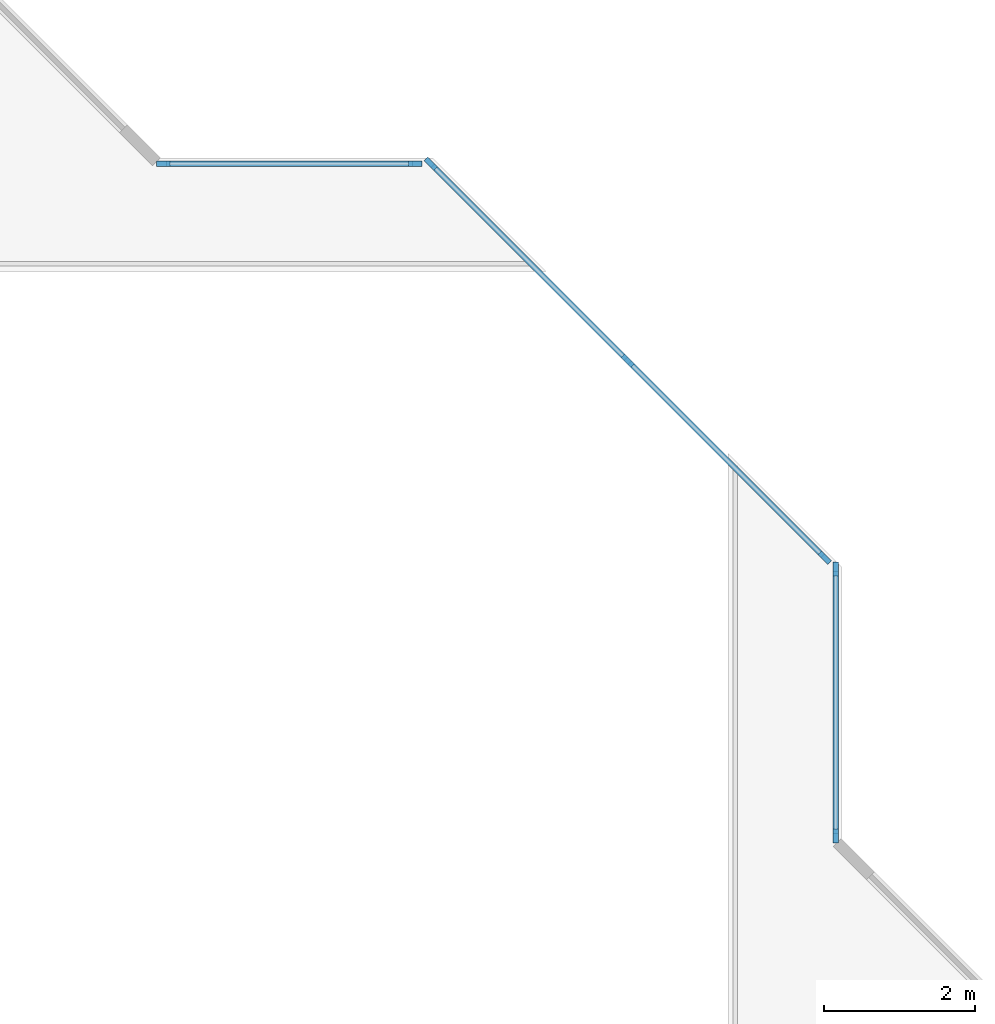
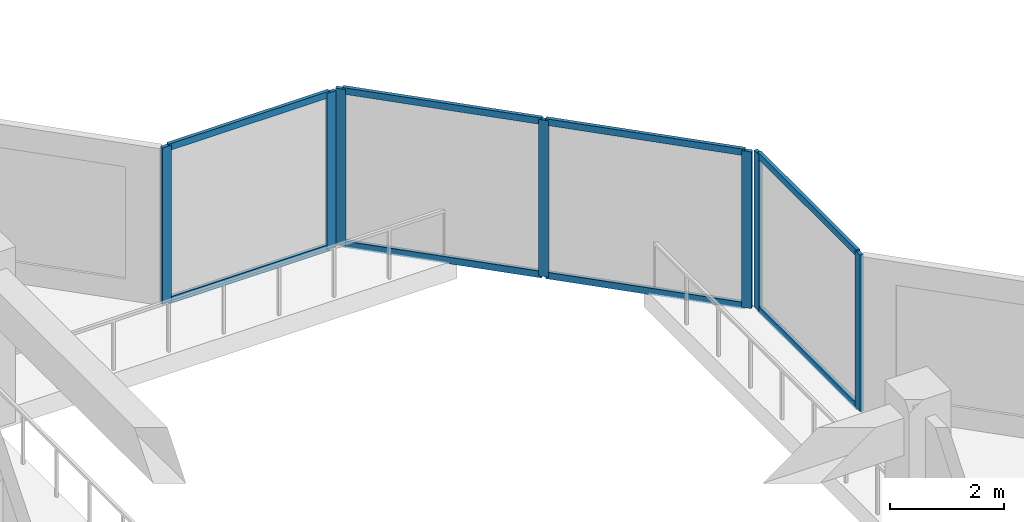
# One storey, part 2 of 15: 15 members, 3 elements without a shape of their own.
"""IFC4 building model written with IfcOpenShell, lengths in metres."""

from ifc_helpers import new_model, si_unit, direction, frame, origin, origin_2d, place, context, subcontext, project, spatial, rectangle, extrude, material, layer, layer_set, material_profile, profile_set, type_object, element, aggregate, save


model = new_model("IFC4")

# Units and contexts
model_context = context("Model", 3, precision=1e-05, world=origin(), true_north=direction((0.0, 1.0)))
body_context = subcontext(model_context, "Body", "Model", "MODEL_VIEW")
ifc_project = project(units=[si_unit("LENGTHUNIT", "METRE"), si_unit("AREAUNIT", "SQUARE_METRE"), si_unit("VOLUMEUNIT", "CUBIC_METRE"), si_unit("PLANEANGLEUNIT", "RADIAN"), si_unit("MASSUNIT", "GRAM", prefix="KILO")], contexts=[model_context])

# Site, building, storey
site_placement = place(None, origin())
site = spatial("IfcSite", under=ifc_project, at=site_placement, CompositionType="ELEMENT")
building_placement = place(site_placement, origin())
building = spatial("IfcBuilding", under=site, at=building_placement, Name="Chenar Terraces", CompositionType="ELEMENT")
storey_placement = place(building_placement, frame((0.0, 0.0, 249.14990234375)))
storey = spatial("IfcBuildingStorey", under=building, at=storey_placement, Name="L59", CompositionType="ELEMENT", Elevation=249.14990234375)

# Curtain wall, members
ifc_material_1 = material(Name="Aluminium framed glazing", Category="aluminium")
ifc_layer = layer(ifc_material_1, 0.14990234375)
ifc_layer_set = layer_set([ifc_layer], Name="Aluminium framed glazing")
curtain_wall_type = type_object("IfcCurtainWallType", Name="Atrium mid-zone curtain wall", PredefinedType="NOTDEFINED", material=ifc_layer_set)
placement = place(storey_placement, origin())
curtain_wall_1 = element("IfcCurtainWall", 1, at=placement, inside=storey, type_object=curtain_wall_type, Name="Atrium mid-zone curtain wall", PredefinedType="NOTDEFINED")
ifc_material_2 = material(Name="Aluminium", Category="aluminium")
ifc_material_profile_1 = material_profile(ifc_material_2, rectangle(XDim=0.070068359375, YDim=0.179931640625, at=origin_2d()), Name="Atrium mid-zone glazing mullion 70 x 180")
ifc_profile_set_1 = profile_set([ifc_material_profile_1], Name="Aluminium")
member_type_1 = type_object("IfcMemberType", Name="Atrium mid-zone glazing mullion 70 x 180", PredefinedType="MULLION", material=ifc_profile_set_1)
member_1_placement = place(storey_placement, frame((37.425048828125, 28.534912109375, 0.0), z_axis=(0.0, 0.0, 1.0), x_axis=(-1.0, 0.0, 0.0)))
member_1 = element("IfcMember", 2, at=member_1_placement, type_object=member_type_1, Name="CW7-1 mullion 1", PredefinedType="MULLION", context=body_context, shape_type="SweptSolid", body=[
    extrude(rectangle(XDim=0.070068359375, YDim=0.179931640625, at=origin_2d()), origin(), (0.0, 0.0, 1.0), 3.35009765625),
])
member_2_placement = place(storey_placement, frame((37.425048828125, 32.06494140625, 0.0), z_axis=(0.0, 0.0, 1.0), x_axis=(-1.0, 0.0, 0.0)))
member_2 = element("IfcMember", 3, at=member_2_placement, type_object=member_type_1, Name="CW7-1 mullion 2", PredefinedType="MULLION", context=body_context, shape_type="SweptSolid", body=[
    extrude(rectangle(XDim=0.070068359375, YDim=0.179931640625, at=origin_2d()), origin(), (0.0, 0.0, 1.0), 3.35009765625),
])

curtain_wall_2 = element("IfcCurtainWall", 4, at=placement, inside=storey, type_object=curtain_wall_type, Name="Atrium mid-zone curtain wall", PredefinedType="NOTDEFINED")
member_3_placement = place(storey_placement, frame((37.28076171875, 32.213134765625, 0.0), z_axis=(0.0, 0.0, 1.0), x_axis=(-0.707106781187, -0.707106781187, 0.0)))
member_3 = element("IfcMember", 5, at=member_3_placement, type_object=member_type_1, Name="CW7-2 mullion 1", PredefinedType="MULLION", context=body_context, shape_type="SweptSolid", body=[
    extrude(rectangle(XDim=0.070068359375, YDim=0.179931640625, at=origin_2d()), origin(), (0.0, 0.0, 1.0), 3.35009765625),
])
member_4_placement = place(storey_placement, frame((34.67626953125, 34.817626953125, 0.0), z_axis=(0.0, 0.0, 1.0), x_axis=(-0.707106781187, -0.707106781187, 0.0)))
member_4 = element("IfcMember", 6, at=member_4_placement, type_object=member_type_1, Name="CW7-2 mullion 2", PredefinedType="MULLION", context=body_context, shape_type="SweptSolid", body=[
    extrude(rectangle(XDim=0.070068359375, YDim=0.179931640625, at=origin_2d()), origin(), (0.0, 0.0, 1.0), 3.35009765625),
])
member_5_placement = place(storey_placement, frame((32.07177734375, 37.42236328125, 0.0), z_axis=(0.0, 0.0, 1.0), x_axis=(-0.707106781187, -0.707106781187, 0.0)))
member_5 = element("IfcMember", 7, at=member_5_placement, type_object=member_type_1, Name="CW7-2 mullion 3", PredefinedType="MULLION", context=body_context, shape_type="SweptSolid", body=[
    extrude(rectangle(XDim=0.070068359375, YDim=0.179931640625, at=origin_2d()), origin(), (0.0, 0.0, 1.0), 3.35009765625),
])

curtain_wall_3 = element("IfcCurtainWall", 8, at=placement, inside=storey, type_object=curtain_wall_type, Name="Atrium mid-zone curtain wall", PredefinedType="NOTDEFINED")
member_6_placement = place(storey_placement, frame((31.864990234375, 37.425048828125, 0.0), z_axis=(0.0, 0.0, 1.0), x_axis=(0.0, -1.0, 0.0)))
member_6 = element("IfcMember", 9, at=member_6_placement, type_object=member_type_1, Name="CW7-3 mullion 1", PredefinedType="MULLION", context=body_context, shape_type="SweptSolid", body=[
    extrude(rectangle(XDim=0.070068359375, YDim=0.179931640625, at=origin_2d()), origin(), (0.0, 0.0, 1.0), 3.35009765625),
])
member_7_placement = place(storey_placement, frame((28.534912109375, 37.425048828125, 0.0), z_axis=(0.0, 0.0, 1.0), x_axis=(0.0, -1.0, 0.0)))
member_7 = element("IfcMember", 10, at=member_7_placement, type_object=member_type_1, Name="CW7-3 mullion 2", PredefinedType="MULLION", context=body_context, shape_type="SweptSolid", body=[
    extrude(rectangle(XDim=0.070068359375, YDim=0.179931640625, at=origin_2d()), origin(), (0.0, 0.0, 1.0), 3.35009765625),
])

# Member
ifc_material_3 = material(Name="Aluminium", Category="aluminium")
ifc_material_profile_2 = material_profile(ifc_material_3, rectangle(XDim=0.070068359375, YDim=0.139892578125, at=origin_2d()), Name="Atrium mid-zone glazing transom 70 x 140")
ifc_profile_set_2 = profile_set([ifc_material_profile_2], Name="Aluminium")
member_type_2 = type_object("IfcMemberType", Name="Atrium mid-zone glazing transom 70 x 140", PredefinedType="USERDEFINED", material=ifc_profile_set_2)
member_8_placement = place(storey_placement, frame((37.425048828125, 28.570068359375, 0.03515625), z_axis=(0.0, 1.0, 0.0), x_axis=(-1.0, 0.0, 0.0)))
member_8 = element("IfcMember", 11, at=member_8_placement, type_object=member_type_2, Name="CW7-1 transom 1.1", ObjectType="TRANSOM", PredefinedType="USERDEFINED", context=body_context, shape_type="SweptSolid", body=[
    extrude(rectangle(XDim=0.070068359375, YDim=0.139892578125, at=origin_2d()), origin(), (0.0, 0.0, 1.0), 3.4599609375),
])

member_9_placement = place(storey_placement, frame((37.425048828125, 28.570068359375, 3.315185546875), z_axis=(0.0, 1.0, 0.0), x_axis=(-1.0, 0.0, 0.0)))
member_9 = element("IfcMember", 12, at=member_9_placement, type_object=member_type_2, Name="CW7-1 transom 1.2", ObjectType="TRANSOM", PredefinedType="USERDEFINED", context=body_context, shape_type="SweptSolid", body=[
    extrude(rectangle(XDim=0.070068359375, YDim=0.139892578125, at=origin_2d()), origin(), (0.0, 0.0, 1.0), 3.4599609375),
])

aggregate(curtain_wall_1, [member_1, member_2, member_8, member_9])

member_10_placement = place(storey_placement, frame((37.256103515625, 32.23779296875, 0.03515625), z_axis=(-0.707106781187, 0.707106781187, 0.0), x_axis=(-0.707106781187, -0.707106781187, 0.0)))
member_10 = element("IfcMember", 13, at=member_10_placement, type_object=member_type_2, Name="CW7-2 transom 1.1", ObjectType="TRANSOM", PredefinedType="USERDEFINED", context=body_context, shape_type="SweptSolid", body=[
    extrude(rectangle(XDim=0.070068359375, YDim=0.139892578125, at=origin_2d()), origin(), (0.0, 0.0, 1.0), 3.613525390625),
])

member_11_placement = place(storey_placement, frame((37.256103515625, 32.23779296875, 3.315185546875), z_axis=(-0.707106781187, 0.707106781187, 0.0), x_axis=(-0.707106781187, -0.707106781187, 0.0)))
member_11 = element("IfcMember", 14, at=member_11_placement, type_object=member_type_2, Name="CW7-2 transom 1.2", ObjectType="TRANSOM", PredefinedType="USERDEFINED", context=body_context, shape_type="SweptSolid", body=[
    extrude(rectangle(XDim=0.070068359375, YDim=0.139892578125, at=origin_2d()), origin(), (0.0, 0.0, 1.0), 3.613525390625),
])

member_12_placement = place(storey_placement, frame((34.651611328125, 34.842529296875, 0.03515625), z_axis=(-0.707140563131, 0.707072997628, 0.0), x_axis=(-0.707072997628, -0.707140563131, 0.0)))
member_12 = element("IfcMember", 15, at=member_12_placement, type_object=member_type_2, Name="CW7-2 transom 2.1", ObjectType="TRANSOM", PredefinedType="USERDEFINED", context=body_context, shape_type="SweptSolid", body=[
    extrude(rectangle(XDim=0.070068359375, YDim=0.139892578125, at=origin_2d()), origin(), (0.0, 0.0, 1.0), 3.61328125),
])

member_13_placement = place(storey_placement, frame((34.651611328125, 34.842529296875, 3.315185546875), z_axis=(-0.707140563131, 0.707072997628, 0.0), x_axis=(-0.707072997628, -0.707140563131, 0.0)))
member_13 = element("IfcMember", 16, at=member_13_placement, type_object=member_type_2, Name="CW7-2 transom 2.2", ObjectType="TRANSOM", PredefinedType="USERDEFINED", context=body_context, shape_type="SweptSolid", body=[
    extrude(rectangle(XDim=0.070068359375, YDim=0.139892578125, at=origin_2d()), origin(), (0.0, 0.0, 1.0), 3.61328125),
])

aggregate(curtain_wall_2, [member_3, member_4, member_5, member_10, member_11, member_12, member_13])

member_14_placement = place(storey_placement, frame((31.830078125, 37.425048828125, 0.03515625), z_axis=(-1.0, 0.0, 0.0), x_axis=(0.0, -1.0, 0.0)))
member_14 = element("IfcMember", 17, at=member_14_placement, type_object=member_type_2, Name="CW7-3 transom 1.1", ObjectType="TRANSOM", PredefinedType="USERDEFINED", context=body_context, shape_type="SweptSolid", body=[
    extrude(rectangle(XDim=0.070068359375, YDim=0.139892578125, at=origin_2d()), origin(), (0.0, 0.0, 1.0), 3.260009765625),
])

member_15_placement = place(storey_placement, frame((31.830078125, 37.425048828125, 3.315185546875), z_axis=(-1.0, 0.0, 0.0), x_axis=(0.0, -1.0, 0.0)))
member_15 = element("IfcMember", 18, at=member_15_placement, type_object=member_type_2, Name="CW7-3 transom 1.2", ObjectType="TRANSOM", PredefinedType="USERDEFINED", context=body_context, shape_type="SweptSolid", body=[
    extrude(rectangle(XDim=0.070068359375, YDim=0.139892578125, at=origin_2d()), origin(), (0.0, 0.0, 1.0), 3.260009765625),
])

aggregate(curtain_wall_3, [member_6, member_7, member_14, member_15])

save(model, "model.ifc")
